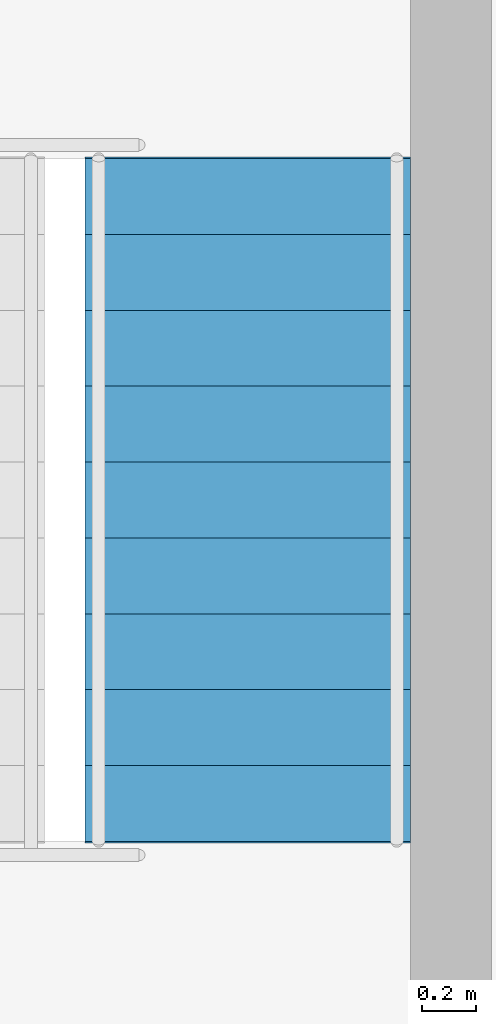
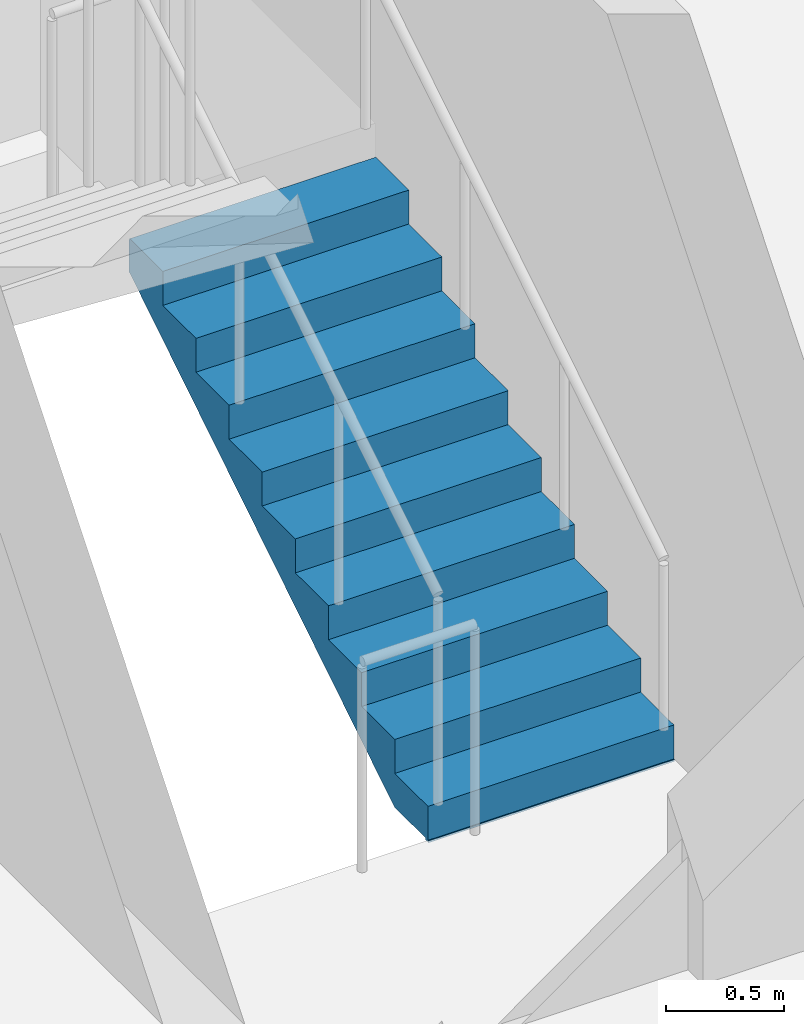
# One storey, part 14 of 17: 1 stair flight, 1 element without a shape of its own.
"""IFC4 building model written with IfcOpenShell, lengths in metres."""

from ifc_helpers import new_model, si_unit, direction, frame, origin, place, context, subcontext, project, spatial, polyline, outline, extrude, material, type_object, element, aggregate, save


model = new_model("IFC4")

# Units and contexts
model_context = context("Model", 3, precision=1e-05, world=origin(), true_north=direction((0.0, 1.0)))
body_context = subcontext(model_context, "Body", "Model", "MODEL_VIEW")
ifc_project = project(units=[si_unit("LENGTHUNIT", "METRE"), si_unit("AREAUNIT", "SQUARE_METRE"), si_unit("VOLUMEUNIT", "CUBIC_METRE"), si_unit("PLANEANGLEUNIT", "RADIAN"), si_unit("MASSUNIT", "GRAM", prefix="KILO")], contexts=[model_context])

# Site, building, storey
site_placement = place(None, origin())
site = spatial("IfcSite", under=ifc_project, at=site_placement, CompositionType="ELEMENT")
building_placement = place(site_placement, origin())
building = spatial("IfcBuilding", under=site, at=building_placement, Name="Plateau Cross Towers", CompositionType="ELEMENT")
storey_placement = place(building_placement, frame((0.0, 0.0, 142.89990234375)))
storey = spatial("IfcBuildingStorey", under=building, at=storey_placement, Name="L36", CompositionType="ELEMENT", Elevation=142.89990234375)

# Stair, stair flight
ifc_material = material(Name="Concrete C40/50", Category="concrete")
stair_type = type_object("IfcStairType", Name="ST-TWR", PredefinedType="HALF_TURN_STAIR", material=ifc_material)
stair_placement = place(storey_placement, origin())
stair = element("IfcStair", 1, at=stair_placement, inside=storey, type_object=stair_type, Name="L36 Protected Exit Stair N", PredefinedType="HALF_TURN_STAIR")
stair_flight_type = type_object("IfcStairFlightType", Name="SFL-RC", PredefinedType="STRAIGHT", material=ifc_material)
stair_flight_placement = place(storey_placement, frame((9.675048828125, 46.5, 0.0), z_axis=(0.0, 0.0, 1.0), x_axis=(0.0, 1.0, 0.0)))
stair_flight = element("IfcStairFlight", 2, at=stair_flight_placement, type_object=stair_flight_type, Name="ES-N flight 1", NumberOfRisers=10, NumberOfTreads=9, PredefinedType="STRAIGHT", RiserHeight=0.175, TreadLength=0.28, context=body_context, shape_type="SweptSolid", body=[
    extrude(outline(polyline([(-0.0048828125, -0.010009765625), (-0.0048828125, 0.0), (0.0, 0.0), (0.0, 0.175048828125), (0.280029296875, 0.175048828125), (0.280029296875, 0.35009765625), (0.56005859375, 0.35009765625), (0.56005859375, 0.52490234375), (0.840087890625, 0.52490234375), (0.840087890625, 0.699951171875), (1.1201171875, 0.699951171875), (1.1201171875, 0.875), (1.39990234375, 0.875), (1.39990234375, 1.050048828125), (1.679931640625, 1.050048828125), (1.679931640625, 1.22509765625), (1.9599609375, 1.22509765625), (1.9599609375, 1.39990234375), (2.239990234375, 1.39990234375), (2.239990234375, 1.574951171875), (2.52001953125, 1.574951171875), (2.52490234375, 1.56494140625), (2.52490234375, 1.398193359375), (2.52001953125, 1.398193359375), (0.28271484375, 0.0), (0.02001953125, 0.0), (0.02001953125, -0.010009765625), (-0.0048828125, -0.010009765625)])), frame((0.0, 0.60009765625, 0.0), z_axis=(0.0, -1.0, 0.0), x_axis=(1.0, 0.0, 0.0)), (0.0, 0.0, 1.0), 1.199951171875),
])
aggregate(stair, [stair_flight])

save(model, "model.ifc")
